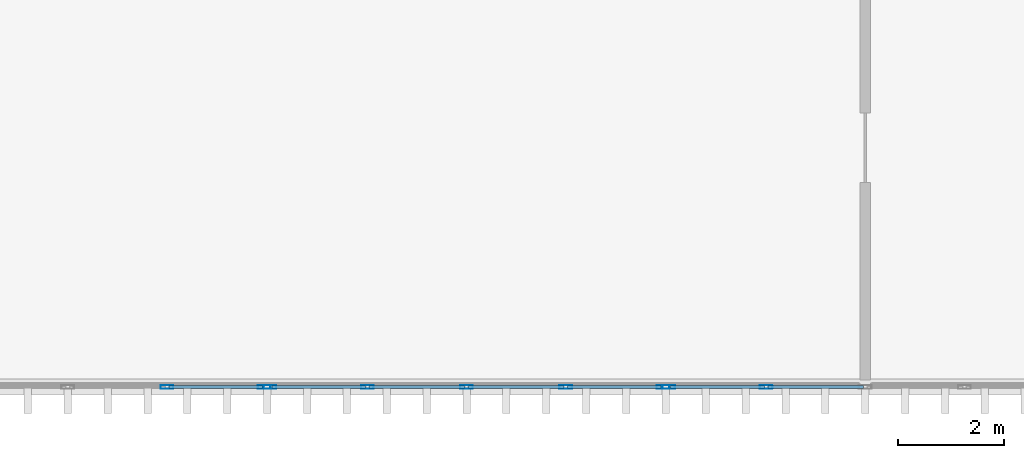
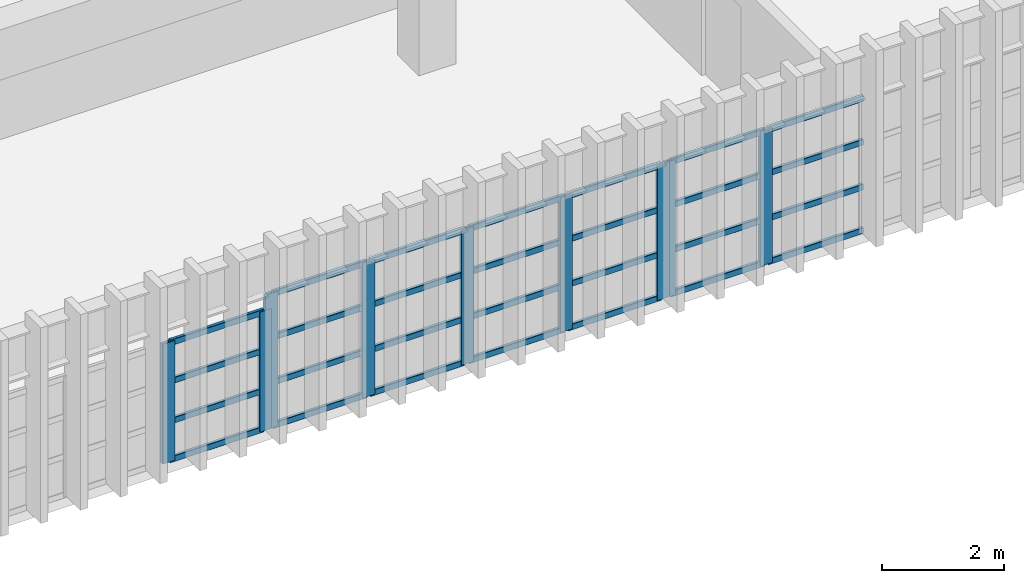
# One storey, part 25 of 82: 37 members, 3 elements without a shape of their own.
"""IFC4 building model written with IfcOpenShell, lengths in metres."""

from ifc_helpers import new_model, si_unit, direction, frame, origin, origin_2d, place, context, subcontext, project, spatial, hollow_rectangle, extrude, material, material_profile, profile_set, type_object, element, aggregate, save


model = new_model("IFC4")

# Units and contexts
model_context = context("Model", 3, precision=1e-05, world=origin(), true_north=direction((0.0, 1.0)))
body_context = subcontext(model_context, "Body", "Model", "MODEL_VIEW")
ifc_project = project(units=[si_unit("LENGTHUNIT", "METRE"), si_unit("AREAUNIT", "SQUARE_METRE"), si_unit("VOLUMEUNIT", "CUBIC_METRE"), si_unit("PLANEANGLEUNIT", "RADIAN"), si_unit("MASSUNIT", "GRAM", prefix="KILO")], contexts=[model_context])

# Site, building, storey
site_placement = place(None, origin())
site = spatial("IfcSite", under=ifc_project, at=site_placement, CompositionType="ELEMENT")
building_placement = place(site_placement, origin())
building = spatial("IfcBuilding", under=site, at=building_placement, Name="Qasida Concert Hall", CompositionType="ELEMENT")
storey_placement = place(building_placement, frame((0.0, 0.0, 17.10009765625)))
storey = spatial("IfcBuildingStorey", under=building, at=storey_placement, Name="L04", CompositionType="ELEMENT", Elevation=17.10009765625)

# Curtain wall, members
ifc_material_1 = material(Name="Architectural bronze-anodized aluminium and low-E glass", Category="aluminium")
curtain_wall_type = type_object("IfcCurtainWallType", Name="CW-10", PredefinedType="NOTDEFINED", material=ifc_material_1)
curtain_wall_1_placement = place(storey_placement, origin())
curtain_wall_1 = element("IfcCurtainWall", 1, at=curtain_wall_1_placement, inside=storey, type_object=curtain_wall_type, Name="L04 curtain wall CW-10 0023", PredefinedType="NOTDEFINED")
ifc_material_2 = material(Name="Architectural bronze-anodized aluminium EN AW-6063", Category="aluminium")
ifc_material_profile_1 = material_profile(ifc_material_2, hollow_rectangle(XDim=0.070068359375, YDim=0.239990234375, WallThickness=0.0048828125, InnerFilletRadius=0.0048828125, OuterFilletRadius=0.010009765625, at=origin_2d()), Name="CWM 240x70x5")
ifc_profile_set_1 = profile_set([ifc_material_profile_1], Name="Architectural bronze-anodized aluminium EN AW-6063")
member_type_1 = type_object("IfcMemberType", Name="MB-CWM-1", PredefinedType="MULLION", material=ifc_profile_set_1)
member_1_placement = place(storey_placement, frame((65.614990234375, 14.699951171875, 0.0), z_axis=(0.0, 0.0, 1.0), x_axis=(0.0, 1.0, 0.0)))
member_1 = element("IfcMember", 2, at=member_1_placement, type_object=member_type_1, Name="CW-10 mullion 4", PredefinedType="MULLION", context=body_context, shape_type="SweptSolid", body=[
    extrude(hollow_rectangle(XDim=0.070068359375, YDim=0.239990234375, WallThickness=0.0048828125, InnerFilletRadius=0.0048828125, OuterFilletRadius=0.010009765625, at=origin_2d()), origin(), (0.0, 0.0, 1.0), 2.389892578125),
])
member_2_placement = place(storey_placement, frame((67.445068359375, 14.699951171875, 0.0), z_axis=(0.0, 0.0, 1.0), x_axis=(0.0, 1.0, 0.0)))
member_2 = element("IfcMember", 3, at=member_2_placement, type_object=member_type_1, Name="CW-10 mullion 5", PredefinedType="MULLION", context=body_context, shape_type="SweptSolid", body=[
    extrude(hollow_rectangle(XDim=0.070068359375, YDim=0.239990234375, WallThickness=0.0048828125, InnerFilletRadius=0.0048828125, OuterFilletRadius=0.010009765625, at=origin_2d()), origin(), (0.0, 0.0, 1.0), 2.389892578125),
])

curtain_wall_2_placement = place(storey_placement, origin())
curtain_wall_2 = element("IfcCurtainWall", 4, at=curtain_wall_2_placement, inside=storey, type_object=curtain_wall_type, Name="L04 curtain wall CW-10 0024", PredefinedType="NOTDEFINED")
member_3_placement = place(storey_placement, frame((67.554931640625, 14.699951171875, 0.0), z_axis=(0.0, 0.0, 1.0), x_axis=(0.0, 1.0, 0.0)))
member_3 = element("IfcMember", 5, at=member_3_placement, type_object=member_type_1, Name="CW-10 mullion 1", PredefinedType="MULLION", context=body_context, shape_type="SweptSolid", body=[
    extrude(hollow_rectangle(XDim=0.070068359375, YDim=0.239990234375, WallThickness=0.0048828125, InnerFilletRadius=0.0048828125, OuterFilletRadius=0.010009765625, at=origin_2d()), origin(), (0.0, 0.0, 1.0), 2.68994140625),
])
member_4_placement = place(storey_placement, frame((69.385009765625, 14.699951171875, 0.0), z_axis=(0.0, 0.0, 1.0), x_axis=(0.0, 1.0, 0.0)))
member_4 = element("IfcMember", 6, at=member_4_placement, type_object=member_type_1, Name="CW-10 mullion 2", PredefinedType="MULLION", context=body_context, shape_type="SweptSolid", body=[
    extrude(hollow_rectangle(XDim=0.070068359375, YDim=0.239990234375, WallThickness=0.0048828125, InnerFilletRadius=0.0048828125, OuterFilletRadius=0.010009765625, at=origin_2d()), origin(), (0.0, 0.0, 1.0), 2.68994140625),
])
member_5_placement = place(storey_placement, frame((71.25, 14.699951171875, 0.0), z_axis=(0.0, 0.0, 1.0), x_axis=(0.0, 1.0, 0.0)))
member_5 = element("IfcMember", 7, at=member_5_placement, type_object=member_type_1, Name="CW-10 mullion 3", PredefinedType="MULLION", context=body_context, shape_type="SweptSolid", body=[
    extrude(hollow_rectangle(XDim=0.070068359375, YDim=0.239990234375, WallThickness=0.0048828125, InnerFilletRadius=0.0048828125, OuterFilletRadius=0.010009765625, at=origin_2d()), origin(), (0.0, 0.0, 1.0), 2.68994140625),
])
member_6_placement = place(storey_placement, frame((73.114990234375, 14.699951171875, 0.0), z_axis=(0.0, 0.0, 1.0), x_axis=(0.0, 1.0, 0.0)))
member_6 = element("IfcMember", 8, at=member_6_placement, type_object=member_type_1, Name="CW-10 mullion 4", PredefinedType="MULLION", context=body_context, shape_type="SweptSolid", body=[
    extrude(hollow_rectangle(XDim=0.070068359375, YDim=0.239990234375, WallThickness=0.0048828125, InnerFilletRadius=0.0048828125, OuterFilletRadius=0.010009765625, at=origin_2d()), origin(), (0.0, 0.0, 1.0), 2.68994140625),
])
member_7_placement = place(storey_placement, frame((74.945068359375, 14.699951171875, 0.0), z_axis=(0.0, 0.0, 1.0), x_axis=(0.0, 1.0, 0.0)))
member_7 = element("IfcMember", 9, at=member_7_placement, type_object=member_type_1, Name="CW-10 mullion 5", PredefinedType="MULLION", context=body_context, shape_type="SweptSolid", body=[
    extrude(hollow_rectangle(XDim=0.070068359375, YDim=0.239990234375, WallThickness=0.0048828125, InnerFilletRadius=0.0048828125, OuterFilletRadius=0.010009765625, at=origin_2d()), origin(), (0.0, 0.0, 1.0), 2.68994140625),
])

curtain_wall_3_placement = place(storey_placement, origin())
curtain_wall_3 = element("IfcCurtainWall", 10, at=curtain_wall_3_placement, inside=storey, type_object=curtain_wall_type, Name="L04 curtain wall CW-10 0025", PredefinedType="NOTDEFINED")
member_8_placement = place(storey_placement, frame((75.054931640625, 14.699951171875, 0.0), z_axis=(0.0, 0.0, 1.0), x_axis=(0.0, 1.0, 0.0)))
member_8 = element("IfcMember", 11, at=member_8_placement, type_object=member_type_1, Name="CW-10 mullion 1", PredefinedType="MULLION", context=body_context, shape_type="SweptSolid", body=[
    extrude(hollow_rectangle(XDim=0.070068359375, YDim=0.239990234375, WallThickness=0.0048828125, InnerFilletRadius=0.0048828125, OuterFilletRadius=0.010009765625, at=origin_2d()), origin(), (0.0, 0.0, 1.0), 2.68994140625),
])
member_9_placement = place(storey_placement, frame((76.885009765625, 14.699951171875, 0.0), z_axis=(0.0, 0.0, 1.0), x_axis=(0.0, 1.0, 0.0)))
member_9 = element("IfcMember", 12, at=member_9_placement, type_object=member_type_1, Name="CW-10 mullion 2", PredefinedType="MULLION", context=body_context, shape_type="SweptSolid", body=[
    extrude(hollow_rectangle(XDim=0.070068359375, YDim=0.239990234375, WallThickness=0.0048828125, InnerFilletRadius=0.0048828125, OuterFilletRadius=0.010009765625, at=origin_2d()), origin(), (0.0, 0.0, 1.0), 2.68994140625),
])

# Member
ifc_material_profile_2 = material_profile(ifc_material_2, hollow_rectangle(XDim=0.06005859375, YDim=0.1201171875, WallThickness=0.00390625, InnerFilletRadius=0.00390625, OuterFilletRadius=0.008056640625, at=origin_2d()), Name="CWT 120x60x4")
ifc_profile_set_2 = profile_set([ifc_material_profile_2], Name="Architectural bronze-anodized aluminium EN AW-6063")
member_type_2 = type_object("IfcMemberType", Name="MB-CWT-2", PredefinedType="USERDEFINED", material=ifc_profile_set_2)
member_10_placement = place(storey_placement, frame((65.64990234375, 14.699951171875, 0.02978515625), z_axis=(1.0, 0.0, 0.0), x_axis=(0.0, 1.0, 0.0)))
member_10 = element("IfcMember", 13, at=member_10_placement, type_object=member_type_2, Name="CW-10 transom 4.1", ObjectType="TRANSOM", PredefinedType="USERDEFINED", context=body_context, shape_type="SweptSolid", body=[
    extrude(hollow_rectangle(XDim=0.06005859375, YDim=0.1201171875, WallThickness=0.00390625, InnerFilletRadius=0.00390625, OuterFilletRadius=0.008056640625, at=origin_2d()), origin(), (0.0, 0.0, 1.0), 1.760009765625),
])

member_11_placement = place(storey_placement, frame((65.64990234375, 14.699951171875, 0.796630859375), z_axis=(1.0, 0.0, 0.0), x_axis=(0.0, 1.0, 0.0)))
member_11 = element("IfcMember", 14, at=member_11_placement, type_object=member_type_2, Name="CW-10 transom 4.2", ObjectType="TRANSOM", PredefinedType="USERDEFINED", context=body_context, shape_type="SweptSolid", body=[
    extrude(hollow_rectangle(XDim=0.06005859375, YDim=0.1201171875, WallThickness=0.00390625, InnerFilletRadius=0.00390625, OuterFilletRadius=0.008056640625, at=origin_2d()), origin(), (0.0, 0.0, 1.0), 1.760009765625),
])

member_12_placement = place(storey_placement, frame((65.64990234375, 14.699951171875, 1.59326171875), z_axis=(1.0, 0.0, 0.0), x_axis=(0.0, 1.0, 0.0)))
member_12 = element("IfcMember", 15, at=member_12_placement, type_object=member_type_2, Name="CW-10 transom 4.3", ObjectType="TRANSOM", PredefinedType="USERDEFINED", context=body_context, shape_type="SweptSolid", body=[
    extrude(hollow_rectangle(XDim=0.06005859375, YDim=0.1201171875, WallThickness=0.00390625, InnerFilletRadius=0.00390625, OuterFilletRadius=0.008056640625, at=origin_2d()), origin(), (0.0, 0.0, 1.0), 1.760009765625),
])

member_13_placement = place(storey_placement, frame((65.64990234375, 14.699951171875, 2.35986328125), z_axis=(1.0, 0.0, 0.0), x_axis=(0.0, 1.0, 0.0)))
member_13 = element("IfcMember", 16, at=member_13_placement, type_object=member_type_2, Name="CW-10 transom 4.4", ObjectType="TRANSOM", PredefinedType="USERDEFINED", context=body_context, shape_type="SweptSolid", body=[
    extrude(hollow_rectangle(XDim=0.06005859375, YDim=0.1201171875, WallThickness=0.00390625, InnerFilletRadius=0.00390625, OuterFilletRadius=0.008056640625, at=origin_2d()), origin(), (0.0, 0.0, 1.0), 1.760009765625),
])

aggregate(curtain_wall_1, [member_1, member_2, member_10, member_11, member_12, member_13])

member_14_placement = place(storey_placement, frame((67.590087890625, 14.699951171875, 0.02978515625), z_axis=(1.0, 0.0, 0.0), x_axis=(0.0, 1.0, 0.0)))
member_14 = element("IfcMember", 17, at=member_14_placement, type_object=member_type_2, Name="CW-10 transom 1.1", ObjectType="TRANSOM", PredefinedType="USERDEFINED", context=body_context, shape_type="SweptSolid", body=[
    extrude(hollow_rectangle(XDim=0.06005859375, YDim=0.1201171875, WallThickness=0.00390625, InnerFilletRadius=0.00390625, OuterFilletRadius=0.008056640625, at=origin_2d()), origin(), (0.0, 0.0, 1.0), 1.760009765625),
])

member_15_placement = place(storey_placement, frame((67.590087890625, 14.699951171875, 0.896484375), z_axis=(1.0, 0.0, 0.0), x_axis=(0.0, 1.0, 0.0)))
member_15 = element("IfcMember", 18, at=member_15_placement, type_object=member_type_2, Name="CW-10 transom 1.2", ObjectType="TRANSOM", PredefinedType="USERDEFINED", context=body_context, shape_type="SweptSolid", body=[
    extrude(hollow_rectangle(XDim=0.06005859375, YDim=0.1201171875, WallThickness=0.00390625, InnerFilletRadius=0.00390625, OuterFilletRadius=0.008056640625, at=origin_2d()), origin(), (0.0, 0.0, 1.0), 1.760009765625),
])

member_16_placement = place(storey_placement, frame((67.590087890625, 14.699951171875, 1.793212890625), z_axis=(1.0, 0.0, 0.0), x_axis=(0.0, 1.0, 0.0)))
member_16 = element("IfcMember", 19, at=member_16_placement, type_object=member_type_2, Name="CW-10 transom 1.3", ObjectType="TRANSOM", PredefinedType="USERDEFINED", context=body_context, shape_type="SweptSolid", body=[
    extrude(hollow_rectangle(XDim=0.06005859375, YDim=0.1201171875, WallThickness=0.00390625, InnerFilletRadius=0.00390625, OuterFilletRadius=0.008056640625, at=origin_2d()), origin(), (0.0, 0.0, 1.0), 1.760009765625),
])

member_17_placement = place(storey_placement, frame((67.590087890625, 14.699951171875, 2.659912109375), z_axis=(1.0, 0.0, 0.0), x_axis=(0.0, 1.0, 0.0)))
member_17 = element("IfcMember", 20, at=member_17_placement, type_object=member_type_2, Name="CW-10 transom 1.4", ObjectType="TRANSOM", PredefinedType="USERDEFINED", context=body_context, shape_type="SweptSolid", body=[
    extrude(hollow_rectangle(XDim=0.06005859375, YDim=0.1201171875, WallThickness=0.00390625, InnerFilletRadius=0.00390625, OuterFilletRadius=0.008056640625, at=origin_2d()), origin(), (0.0, 0.0, 1.0), 1.760009765625),
])

member_18_placement = place(storey_placement, frame((69.419921875, 14.699951171875, 0.02978515625), z_axis=(1.0, 0.0, 0.0), x_axis=(0.0, 1.0, 0.0)))
member_18 = element("IfcMember", 21, at=member_18_placement, type_object=member_type_2, Name="CW-10 transom 2.1", ObjectType="TRANSOM", PredefinedType="USERDEFINED", context=body_context, shape_type="SweptSolid", body=[
    extrude(hollow_rectangle(XDim=0.06005859375, YDim=0.1201171875, WallThickness=0.00390625, InnerFilletRadius=0.00390625, OuterFilletRadius=0.008056640625, at=origin_2d()), origin(), (0.0, 0.0, 1.0), 1.795166015625),
])

member_19_placement = place(storey_placement, frame((69.419921875, 14.699951171875, 0.896484375), z_axis=(1.0, 0.0, 0.0), x_axis=(0.0, 1.0, 0.0)))
member_19 = element("IfcMember", 22, at=member_19_placement, type_object=member_type_2, Name="CW-10 transom 2.2", ObjectType="TRANSOM", PredefinedType="USERDEFINED", context=body_context, shape_type="SweptSolid", body=[
    extrude(hollow_rectangle(XDim=0.06005859375, YDim=0.1201171875, WallThickness=0.00390625, InnerFilletRadius=0.00390625, OuterFilletRadius=0.008056640625, at=origin_2d()), origin(), (0.0, 0.0, 1.0), 1.795166015625),
])

member_20_placement = place(storey_placement, frame((69.419921875, 14.699951171875, 1.793212890625), z_axis=(1.0, 0.0, 0.0), x_axis=(0.0, 1.0, 0.0)))
member_20 = element("IfcMember", 23, at=member_20_placement, type_object=member_type_2, Name="CW-10 transom 2.3", ObjectType="TRANSOM", PredefinedType="USERDEFINED", context=body_context, shape_type="SweptSolid", body=[
    extrude(hollow_rectangle(XDim=0.06005859375, YDim=0.1201171875, WallThickness=0.00390625, InnerFilletRadius=0.00390625, OuterFilletRadius=0.008056640625, at=origin_2d()), origin(), (0.0, 0.0, 1.0), 1.795166015625),
])

member_21_placement = place(storey_placement, frame((69.419921875, 14.699951171875, 2.659912109375), z_axis=(1.0, 0.0, 0.0), x_axis=(0.0, 1.0, 0.0)))
member_21 = element("IfcMember", 24, at=member_21_placement, type_object=member_type_2, Name="CW-10 transom 2.4", ObjectType="TRANSOM", PredefinedType="USERDEFINED", context=body_context, shape_type="SweptSolid", body=[
    extrude(hollow_rectangle(XDim=0.06005859375, YDim=0.1201171875, WallThickness=0.00390625, InnerFilletRadius=0.00390625, OuterFilletRadius=0.008056640625, at=origin_2d()), origin(), (0.0, 0.0, 1.0), 1.795166015625),
])

member_22_placement = place(storey_placement, frame((71.284912109375, 14.699951171875, 0.02978515625), z_axis=(1.0, 0.0, 0.0), x_axis=(0.0, 1.0, 0.0)))
member_22 = element("IfcMember", 25, at=member_22_placement, type_object=member_type_2, Name="CW-10 transom 3.1", ObjectType="TRANSOM", PredefinedType="USERDEFINED", context=body_context, shape_type="SweptSolid", body=[
    extrude(hollow_rectangle(XDim=0.06005859375, YDim=0.1201171875, WallThickness=0.00390625, InnerFilletRadius=0.00390625, OuterFilletRadius=0.008056640625, at=origin_2d()), origin(), (0.0, 0.0, 1.0), 1.795166015625),
])

member_23_placement = place(storey_placement, frame((71.284912109375, 14.699951171875, 0.896484375), z_axis=(1.0, 0.0, 0.0), x_axis=(0.0, 1.0, 0.0)))
member_23 = element("IfcMember", 26, at=member_23_placement, type_object=member_type_2, Name="CW-10 transom 3.2", ObjectType="TRANSOM", PredefinedType="USERDEFINED", context=body_context, shape_type="SweptSolid", body=[
    extrude(hollow_rectangle(XDim=0.06005859375, YDim=0.1201171875, WallThickness=0.00390625, InnerFilletRadius=0.00390625, OuterFilletRadius=0.008056640625, at=origin_2d()), origin(), (0.0, 0.0, 1.0), 1.795166015625),
])

member_24_placement = place(storey_placement, frame((71.284912109375, 14.699951171875, 1.793212890625), z_axis=(1.0, 0.0, 0.0), x_axis=(0.0, 1.0, 0.0)))
member_24 = element("IfcMember", 27, at=member_24_placement, type_object=member_type_2, Name="CW-10 transom 3.3", ObjectType="TRANSOM", PredefinedType="USERDEFINED", context=body_context, shape_type="SweptSolid", body=[
    extrude(hollow_rectangle(XDim=0.06005859375, YDim=0.1201171875, WallThickness=0.00390625, InnerFilletRadius=0.00390625, OuterFilletRadius=0.008056640625, at=origin_2d()), origin(), (0.0, 0.0, 1.0), 1.795166015625),
])

member_25_placement = place(storey_placement, frame((71.284912109375, 14.699951171875, 2.659912109375), z_axis=(1.0, 0.0, 0.0), x_axis=(0.0, 1.0, 0.0)))
member_25 = element("IfcMember", 28, at=member_25_placement, type_object=member_type_2, Name="CW-10 transom 3.4", ObjectType="TRANSOM", PredefinedType="USERDEFINED", context=body_context, shape_type="SweptSolid", body=[
    extrude(hollow_rectangle(XDim=0.06005859375, YDim=0.1201171875, WallThickness=0.00390625, InnerFilletRadius=0.00390625, OuterFilletRadius=0.008056640625, at=origin_2d()), origin(), (0.0, 0.0, 1.0), 1.795166015625),
])

member_26_placement = place(storey_placement, frame((73.14990234375, 14.699951171875, 0.02978515625), z_axis=(1.0, 0.0, 0.0), x_axis=(0.0, 1.0, 0.0)))
member_26 = element("IfcMember", 29, at=member_26_placement, type_object=member_type_2, Name="CW-10 transom 4.1", ObjectType="TRANSOM", PredefinedType="USERDEFINED", context=body_context, shape_type="SweptSolid", body=[
    extrude(hollow_rectangle(XDim=0.06005859375, YDim=0.1201171875, WallThickness=0.00390625, InnerFilletRadius=0.00390625, OuterFilletRadius=0.008056640625, at=origin_2d()), origin(), (0.0, 0.0, 1.0), 1.760009765625),
])

member_27_placement = place(storey_placement, frame((73.14990234375, 14.699951171875, 0.896484375), z_axis=(1.0, 0.0, 0.0), x_axis=(0.0, 1.0, 0.0)))
member_27 = element("IfcMember", 30, at=member_27_placement, type_object=member_type_2, Name="CW-10 transom 4.2", ObjectType="TRANSOM", PredefinedType="USERDEFINED", context=body_context, shape_type="SweptSolid", body=[
    extrude(hollow_rectangle(XDim=0.06005859375, YDim=0.1201171875, WallThickness=0.00390625, InnerFilletRadius=0.00390625, OuterFilletRadius=0.008056640625, at=origin_2d()), origin(), (0.0, 0.0, 1.0), 1.760009765625),
])

member_28_placement = place(storey_placement, frame((73.14990234375, 14.699951171875, 1.793212890625), z_axis=(1.0, 0.0, 0.0), x_axis=(0.0, 1.0, 0.0)))
member_28 = element("IfcMember", 31, at=member_28_placement, type_object=member_type_2, Name="CW-10 transom 4.3", ObjectType="TRANSOM", PredefinedType="USERDEFINED", context=body_context, shape_type="SweptSolid", body=[
    extrude(hollow_rectangle(XDim=0.06005859375, YDim=0.1201171875, WallThickness=0.00390625, InnerFilletRadius=0.00390625, OuterFilletRadius=0.008056640625, at=origin_2d()), origin(), (0.0, 0.0, 1.0), 1.760009765625),
])

member_29_placement = place(storey_placement, frame((73.14990234375, 14.699951171875, 2.659912109375), z_axis=(1.0, 0.0, 0.0), x_axis=(0.0, 1.0, 0.0)))
member_29 = element("IfcMember", 32, at=member_29_placement, type_object=member_type_2, Name="CW-10 transom 4.4", ObjectType="TRANSOM", PredefinedType="USERDEFINED", context=body_context, shape_type="SweptSolid", body=[
    extrude(hollow_rectangle(XDim=0.06005859375, YDim=0.1201171875, WallThickness=0.00390625, InnerFilletRadius=0.00390625, OuterFilletRadius=0.008056640625, at=origin_2d()), origin(), (0.0, 0.0, 1.0), 1.760009765625),
])

aggregate(curtain_wall_2, [member_3, member_4, member_5, member_6, member_7, member_14, member_15, member_16, member_17, member_18, member_19, member_20, member_21, member_22, member_23, member_24, member_25, member_26, member_27, member_28, member_29])

member_30_placement = place(storey_placement, frame((75.090087890625, 14.699951171875, 0.02978515625), z_axis=(1.0, 0.0, 0.0), x_axis=(0.0, 1.0, 0.0)))
member_30 = element("IfcMember", 33, at=member_30_placement, type_object=member_type_2, Name="CW-10 transom 1.1", ObjectType="TRANSOM", PredefinedType="USERDEFINED", context=body_context, shape_type="SweptSolid", body=[
    extrude(hollow_rectangle(XDim=0.06005859375, YDim=0.1201171875, WallThickness=0.00390625, InnerFilletRadius=0.00390625, OuterFilletRadius=0.008056640625, at=origin_2d()), origin(), (0.0, 0.0, 1.0), 1.760009765625),
])

member_31_placement = place(storey_placement, frame((75.090087890625, 14.699951171875, 0.896484375), z_axis=(1.0, 0.0, 0.0), x_axis=(0.0, 1.0, 0.0)))
member_31 = element("IfcMember", 34, at=member_31_placement, type_object=member_type_2, Name="CW-10 transom 1.2", ObjectType="TRANSOM", PredefinedType="USERDEFINED", context=body_context, shape_type="SweptSolid", body=[
    extrude(hollow_rectangle(XDim=0.06005859375, YDim=0.1201171875, WallThickness=0.00390625, InnerFilletRadius=0.00390625, OuterFilletRadius=0.008056640625, at=origin_2d()), origin(), (0.0, 0.0, 1.0), 1.760009765625),
])

member_32_placement = place(storey_placement, frame((75.090087890625, 14.699951171875, 1.793212890625), z_axis=(1.0, 0.0, 0.0), x_axis=(0.0, 1.0, 0.0)))
member_32 = element("IfcMember", 35, at=member_32_placement, type_object=member_type_2, Name="CW-10 transom 1.3", ObjectType="TRANSOM", PredefinedType="USERDEFINED", context=body_context, shape_type="SweptSolid", body=[
    extrude(hollow_rectangle(XDim=0.06005859375, YDim=0.1201171875, WallThickness=0.00390625, InnerFilletRadius=0.00390625, OuterFilletRadius=0.008056640625, at=origin_2d()), origin(), (0.0, 0.0, 1.0), 1.760009765625),
])

member_33_placement = place(storey_placement, frame((75.090087890625, 14.699951171875, 2.659912109375), z_axis=(1.0, 0.0, 0.0), x_axis=(0.0, 1.0, 0.0)))
member_33 = element("IfcMember", 36, at=member_33_placement, type_object=member_type_2, Name="CW-10 transom 1.4", ObjectType="TRANSOM", PredefinedType="USERDEFINED", context=body_context, shape_type="SweptSolid", body=[
    extrude(hollow_rectangle(XDim=0.06005859375, YDim=0.1201171875, WallThickness=0.00390625, InnerFilletRadius=0.00390625, OuterFilletRadius=0.008056640625, at=origin_2d()), origin(), (0.0, 0.0, 1.0), 1.760009765625),
])

member_34_placement = place(storey_placement, frame((76.919921875, 14.699951171875, 0.02978515625), z_axis=(1.0, 0.0, 0.0), x_axis=(0.0, 1.0, 0.0)))
member_34 = element("IfcMember", 37, at=member_34_placement, type_object=member_type_2, Name="CW-10 transom 2.1", ObjectType="TRANSOM", PredefinedType="USERDEFINED", context=body_context, shape_type="SweptSolid", body=[
    extrude(hollow_rectangle(XDim=0.06005859375, YDim=0.1201171875, WallThickness=0.00390625, InnerFilletRadius=0.00390625, OuterFilletRadius=0.008056640625, at=origin_2d()), origin(), (0.0, 0.0, 1.0), 1.795166015625),
])

member_35_placement = place(storey_placement, frame((76.919921875, 14.699951171875, 0.896484375), z_axis=(1.0, 0.0, 0.0), x_axis=(0.0, 1.0, 0.0)))
member_35 = element("IfcMember", 38, at=member_35_placement, type_object=member_type_2, Name="CW-10 transom 2.2", ObjectType="TRANSOM", PredefinedType="USERDEFINED", context=body_context, shape_type="SweptSolid", body=[
    extrude(hollow_rectangle(XDim=0.06005859375, YDim=0.1201171875, WallThickness=0.00390625, InnerFilletRadius=0.00390625, OuterFilletRadius=0.008056640625, at=origin_2d()), origin(), (0.0, 0.0, 1.0), 1.795166015625),
])

member_36_placement = place(storey_placement, frame((76.919921875, 14.699951171875, 1.793212890625), z_axis=(1.0, 0.0, 0.0), x_axis=(0.0, 1.0, 0.0)))
member_36 = element("IfcMember", 39, at=member_36_placement, type_object=member_type_2, Name="CW-10 transom 2.3", ObjectType="TRANSOM", PredefinedType="USERDEFINED", context=body_context, shape_type="SweptSolid", body=[
    extrude(hollow_rectangle(XDim=0.06005859375, YDim=0.1201171875, WallThickness=0.00390625, InnerFilletRadius=0.00390625, OuterFilletRadius=0.008056640625, at=origin_2d()), origin(), (0.0, 0.0, 1.0), 1.795166015625),
])

member_37_placement = place(storey_placement, frame((76.919921875, 14.699951171875, 2.659912109375), z_axis=(1.0, 0.0, 0.0), x_axis=(0.0, 1.0, 0.0)))
member_37 = element("IfcMember", 40, at=member_37_placement, type_object=member_type_2, Name="CW-10 transom 2.4", ObjectType="TRANSOM", PredefinedType="USERDEFINED", context=body_context, shape_type="SweptSolid", body=[
    extrude(hollow_rectangle(XDim=0.06005859375, YDim=0.1201171875, WallThickness=0.00390625, InnerFilletRadius=0.00390625, OuterFilletRadius=0.008056640625, at=origin_2d()), origin(), (0.0, 0.0, 1.0), 1.795166015625),
])

aggregate(curtain_wall_3, [member_8, member_9, member_30, member_31, member_32, member_33, member_34, member_35, member_36, member_37])

save(model, "model.ifc")
